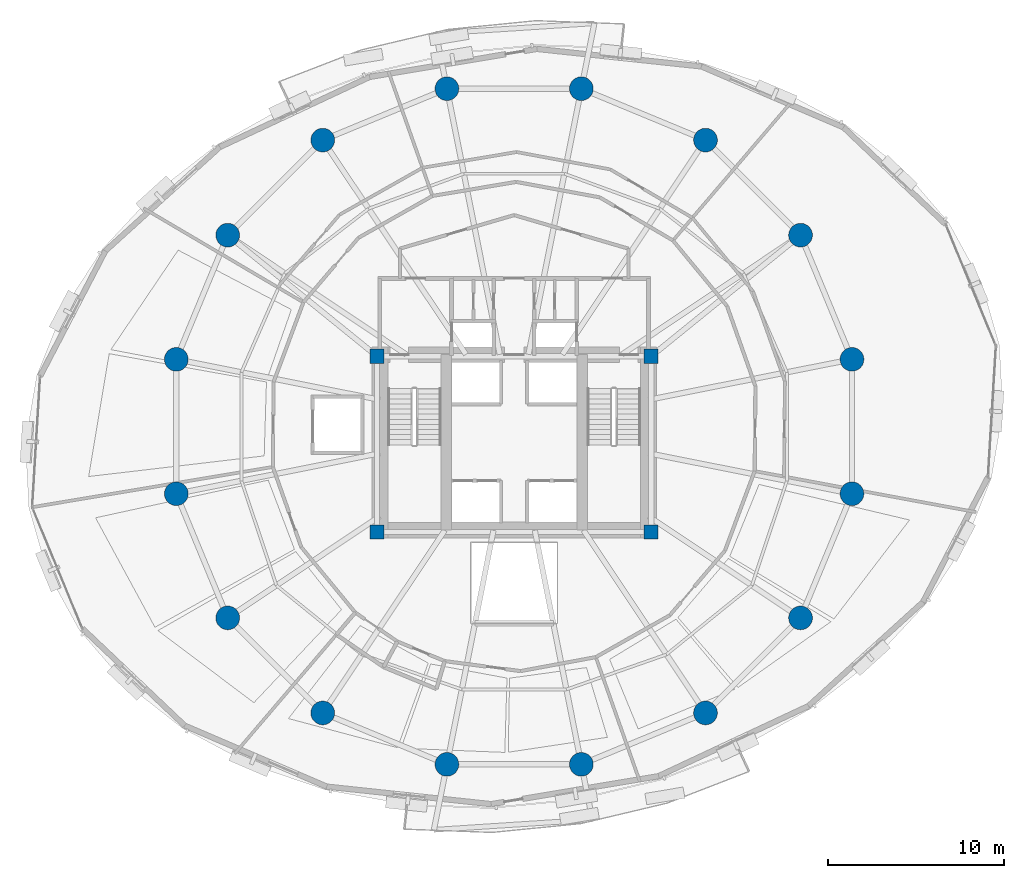
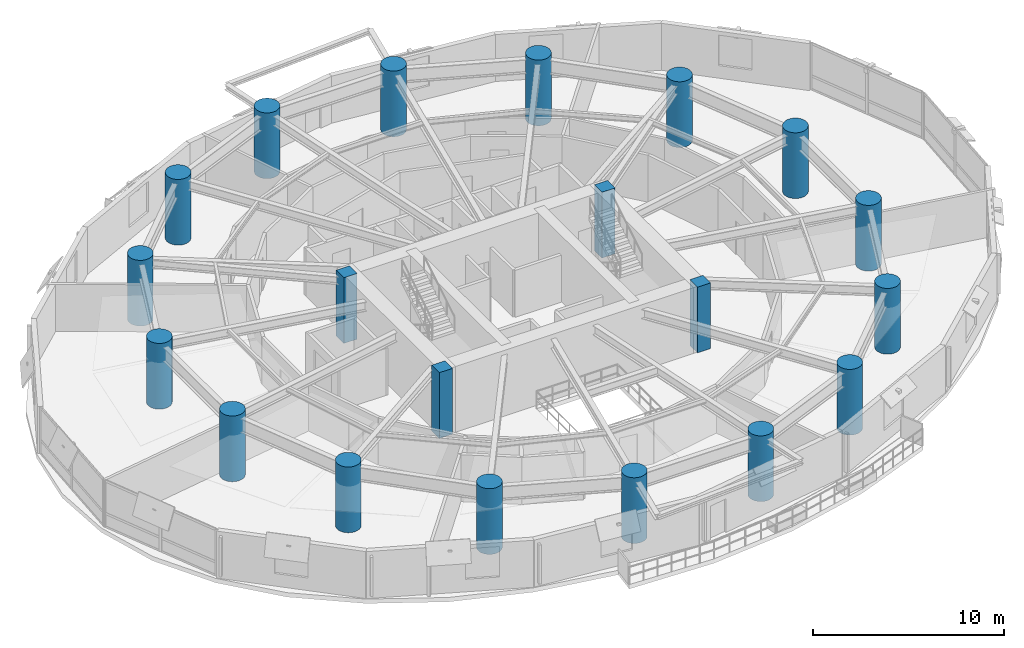
# One storey, part 1 of 17: 20 columns.
"""IFC4 building model written with IfcOpenShell, lengths in metres."""

from ifc_helpers import new_model, si_unit, direction, frame, origin, origin_2d, place, context, subcontext, project, spatial, rectangle, circle, extrude, material, material_profile, profile_set, type_object, element, save


model = new_model("IFC4")

# Units and contexts
model_context = context("Model", 3, precision=1e-05, world=origin(), true_north=direction((0.0, 1.0)))
body_context = subcontext(model_context, "Body", "Model", "MODEL_VIEW")
ifc_project = project(units=[si_unit("LENGTHUNIT", "METRE"), si_unit("AREAUNIT", "SQUARE_METRE"), si_unit("VOLUMEUNIT", "CUBIC_METRE"), si_unit("PLANEANGLEUNIT", "RADIAN"), si_unit("MASSUNIT", "GRAM", prefix="KILO"), si_unit("THERMODYNAMICTEMPERATUREUNIT", "KELVIN"), si_unit("POWERUNIT", "WATT")], contexts=[model_context])

# Site, building, storey
site_placement = place(None, origin())
site = spatial("IfcSite", under=ifc_project, at=site_placement, CompositionType="ELEMENT")
building_placement = place(site_placement, origin())
building = spatial("IfcBuilding", under=site, at=building_placement, Name="Ocrelia Relay Tower", CompositionType="ELEMENT")
storey_placement = place(building_placement, frame((0.0, 0.0, 72.0)))
storey = spatial("IfcBuildingStorey", under=building, at=storey_placement, Name="L16", CompositionType="ELEMENT", Elevation=72.0)

# Columns
ifc_material_1 = material(Name="Concrete C70/85", Category="concrete")
ifc_material_profile_1 = material_profile(ifc_material_1, circle(Radius=0.675048828125, at=origin_2d()), Name="RC-CIR-1350")
ifc_profile_set_1 = profile_set([ifc_material_profile_1], Name="Concrete C70/85")
column_type_1 = type_object("IfcColumnType", Name="COL-CT-1350", PredefinedType="COLUMN", material=ifc_profile_set_1)
for number, where, z_axis, x_axis, name in (
    (1, (53.223388671875, 29.82373046875, 0.0), (0.0, 0.0, 1.0), (1.0, 0.0, 0.0), "L16 Perimeter Ring Column C01"),
    (2, (50.296875, 36.88916015625, 0.0), (0.0, 0.0, 1.0), (1.0, 0.0, 0.0), "L16 Perimeter Ring Column C02"),
    (3, (44.88916015625, 42.296875, 0.0), (0.0, 0.0, 1.0), (1.0, 0.0, 0.0), "L16 Perimeter Ring Column C03"),
    (4, (37.82373046875, 45.223388671875, 0.0), (0.0, 0.0, 1.0), (1.0, 0.0, 0.0), "L16 Perimeter Ring Column C04"),
    (5, (30.17626953125, 45.223388671875, 0.0), (0.0, 0.0, 1.0), (1.0, 0.0, 0.0), "L16 Perimeter Ring Column C05"),
    (6, (23.11083984375, 42.296875, 0.0), (0.0, 0.0, 1.0), (1.0, 0.0, 0.0), "L16 Perimeter Ring Column C06"),
    (7, (17.703125, 36.88916015625, 0.0), (0.0, 0.0, 1.0), (1.0, 0.0, 0.0), "L16 Perimeter Ring Column C07"),
    (8, (14.776611328125, 29.82373046875, 0.0), (0.0, 0.0, 1.0), (1.0, 0.0, 0.0), "L16 Perimeter Ring Column C08"),
    (9, (14.776611328125, 22.17626953125, 0.0), (0.0, 0.0, 1.0), (1.0, 0.0, 0.0), "L16 Perimeter Ring Column C09"),
    (10, (17.703125, 15.11083984375, 0.0), (0.0, 0.0, 1.0), (1.0, 0.0, 0.0), "L16 Perimeter Ring Column C10"),
    (11, (23.11083984375, 9.703125, 0.0), (0.0, 0.0, 1.0), (1.0, 0.0, 0.0), "L16 Perimeter Ring Column C11"),
    (12, (30.17626953125, 6.776611328125, 0.0), (0.0, 0.0, 1.0), (1.0, 0.0, 0.0), "L16 Perimeter Ring Column C12"),
    (13, (37.82373046875, 6.776611328125, 0.0), (0.0, 0.0, 1.0), (1.0, 0.0, 0.0), "L16 Perimeter Ring Column C13"),
    (14, (44.88916015625, 9.703125, 0.0), (0.0, 0.0, 1.0), (1.0, 0.0, 0.0), "L16 Perimeter Ring Column C14"),
    (15, (50.296875, 15.11083984375, 0.0), (0.0, 0.0, 1.0), (1.0, 0.0, 0.0), "L16 Perimeter Ring Column C15"),
    (16, (53.223388671875, 22.17626953125, 0.0), (0.0, 0.0, 1.0), (1.0, 0.0, 0.0), "L16 Perimeter Ring Column C16"),
):
    element("IfcColumn", number, at=place(storey_placement, frame(where, z_axis=z_axis, x_axis=x_axis)), inside=storey, type_object=column_type_1, Name=name, PredefinedType="COLUMN", context=body_context, shape_type="SweptSolid", body=[
        extrude(circle(Radius=0.675048828125, at=origin_2d()), origin(), (0.0, 0.0, 1.0), 4.199951171875),
    ])
ifc_material_2 = material(Name="Concrete C60/75", Category="concrete")
ifc_material_profile_2 = material_profile(ifc_material_2, rectangle(XDim=0.800048828125, YDim=0.800048828125, at=origin_2d()), Name="RC-COL-800x800")
ifc_profile_set_2 = profile_set([ifc_material_profile_2], Name="Concrete C60/75")
column_type_2 = type_object("IfcColumnType", Name="COL-PILASTER-800", PredefinedType="PILASTER", material=ifc_profile_set_2)
for number, where, z_axis, x_axis, name in (
    (17, (26.199951171875, 20.0, 0.0), (0.0, 0.0, 1.0), (1.0, 0.0, 0.0), "L16 Core Corner Pilaster SW"),
    (18, (41.800048828125, 20.0, 0.0), (0.0, 0.0, 1.0), (1.0, 0.0, 0.0), "L16 Core Corner Pilaster SE"),
    (19, (26.199951171875, 30.0, 0.0), (0.0, 0.0, 1.0), (1.0, 0.0, 0.0), "L16 Core Corner Pilaster NW"),
    (20, (41.800048828125, 30.0, 0.0), (0.0, 0.0, 1.0), (1.0, 0.0, 0.0), "L16 Core Corner Pilaster NE"),
):
    element("IfcColumn", number, at=place(storey_placement, frame(where, z_axis=z_axis, x_axis=x_axis)), inside=storey, type_object=column_type_2, Name=name, PredefinedType="PILASTER", context=body_context, shape_type="SweptSolid", body=[
        extrude(rectangle(XDim=0.800048828125, YDim=0.800048828125, at=origin_2d()), origin(), (0.0, 0.0, 1.0), 4.199951171875),
    ])

save(model, "model.ifc")
